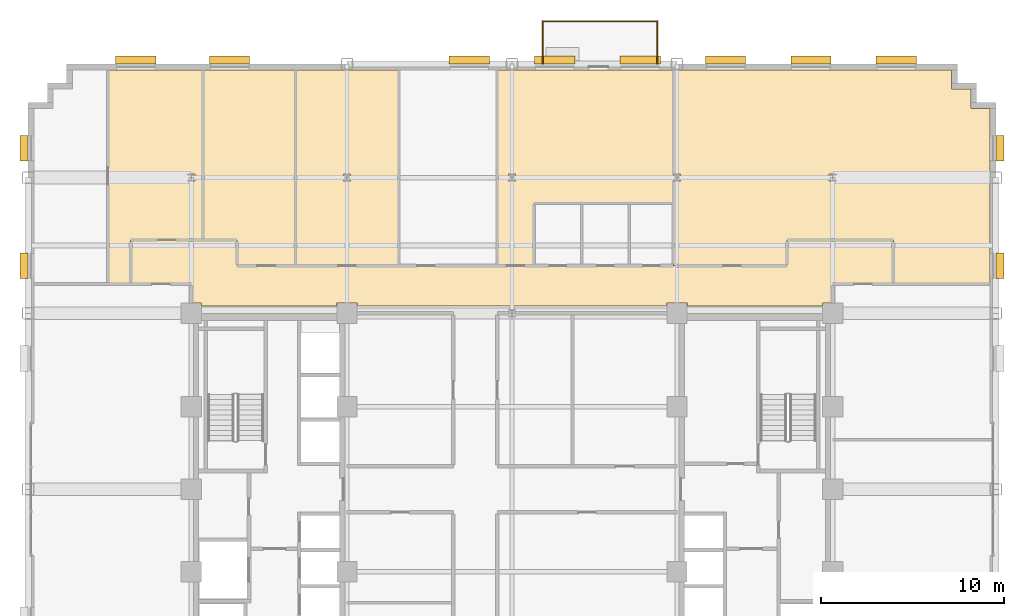
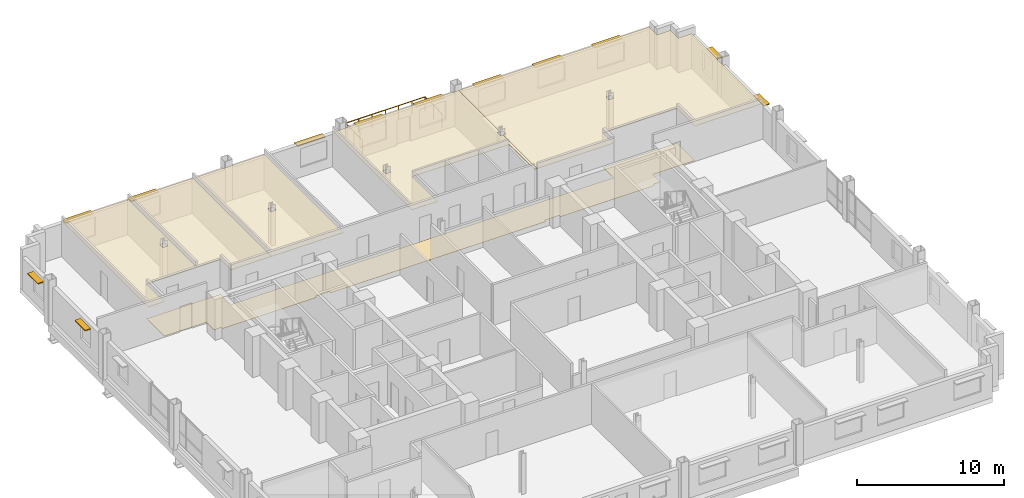
# One storey, part 16 of 16: 12 shading devices, 6 coverings, 1 railing.
"""IFC4 building model written with IfcOpenShell, lengths in metres."""

from ifc_helpers import new_model, si_unit, direction, frame, origin, origin_2d, place, context, subcontext, project, spatial, polyline, rectangle, circle, outline, extrude, source, transform, mapped, material, layer, layer_set, type_object, type_shapes, element, save


model = new_model("IFC4")

# Units and contexts
model_context = context("Model", 3, precision=1e-05, world=origin(), true_north=direction((0.0, 1.0)))
body_context = subcontext(model_context, "Body", "Model", "MODEL_VIEW")
ifc_project = project(units=[si_unit("LENGTHUNIT", "METRE"), si_unit("AREAUNIT", "SQUARE_METRE"), si_unit("VOLUMEUNIT", "CUBIC_METRE"), si_unit("PLANEANGLEUNIT", "RADIAN"), si_unit("MASSUNIT", "GRAM", prefix="KILO")], contexts=[model_context])

# Site, building, storey
site_placement = place(None, origin())
site = spatial("IfcSite", under=ifc_project, at=site_placement, CompositionType="ELEMENT")
building_placement = place(site_placement, origin())
building = spatial("IfcBuilding", under=site, at=building_placement, Name="Nuvemarco Arch Tower", CompositionType="ELEMENT")
storey_placement = place(building_placement, frame((0.0, 0.0, 116.550048828125)))
storey = spatial("IfcBuildingStorey", under=building, at=storey_placement, Name="L30", CompositionType="ELEMENT", Elevation=116.550048828125)

# Coverings
ifc_material_1 = material(Name="Mineral acoustic ceiling tile")
ifc_layer_1 = layer(ifc_material_1, 0.0400390625, Name="COV-ACOUSTIC-CLG")
ifc_layer_set_1 = layer_set([ifc_layer_1], Name="Mineral acoustic ceiling tile")
covering_type_1 = type_object("IfcCoveringType", Name="COV-ACOUSTIC-CLG", PredefinedType="CEILING", material=ifc_layer_set_1)
covering_1_placement = place(storey_placement, frame((0.0, 0.0, 2.849853515625)))
element("IfcCovering", 1, at=covering_1_placement, inside=storey, type_object=covering_type_1, Name="L30 suspended acoustic ceiling 1", PredefinedType="CEILING", context=body_context, shape_type="SweptSolid", body=[
    extrude(outline(polyline([(26.080078125, 20.780029296875), (26.080078125, 17.340087890625), (26.06005859375, 17.340087890625), (26.06005859375, 16.659912109375), (26.080078125, 16.659912109375), (26.080078125, 11.199951171875), (20.800048828125, 11.199951171875), (20.800048828125, 13.60009765625), (15.0, 13.60009765625), (15.0, 12.199951171875), (9.0, 12.199951171875), (9.0, 16.804931640625), (9.195068359375, 16.804931640625), (9.195068359375, 17.195068359375), (9.0, 17.195068359375), (9.0, 22.860107421875), (9.340087890625, 22.860107421875), (9.340087890625, 22.8798828125), (23.97998046875, 22.8798828125), (23.97998046875, 21.830078125), (25.030029296875, 21.830078125), (25.030029296875, 20.780029296875), (26.080078125, 20.780029296875)]), holes=[polyline([(17.695068359375, 16.804931640625), (17.695068359375, 17.195068359375), (17.304931640625, 17.195068359375), (17.304931640625, 16.804931640625), (17.695068359375, 16.804931640625)])]), origin(), (0.0, 0.0, 1.0), 0.0400390625),
])
covering_2_placement = place(storey_placement, frame((0.0, 0.0, 2.849853515625)))
element("IfcCovering", 2, at=covering_2_placement, inside=storey, type_object=covering_type_1, Name="L30 suspended acoustic ceiling 5", PredefinedType="CEILING", context=body_context, shape_type="SweptSolid", body=[
    extrude(outline(polyline([(1.199951171875, 15.60009765625), (1.199951171875, 12.199951171875), (-0.800048828125, 12.199951171875), (-0.800048828125, 22.8798828125), (-0.340087890625, 22.8798828125), (-0.340087890625, 22.860107421875), (0.340087890625, 22.860107421875), (0.340087890625, 22.8798828125), (8.659912109375, 22.8798828125), (8.659912109375, 22.860107421875), (9.0, 22.860107421875), (9.0, 17.195068359375), (8.804931640625, 17.195068359375), (8.804931640625, 16.804931640625), (9.0, 16.804931640625), (9.0, 12.199951171875), (8.800048828125, 12.199951171875), (8.800048828125, 15.60009765625), (6.39990234375, 15.60009765625), (3.800048828125, 15.60009765625), (1.199951171875, 15.60009765625)]), holes=[polyline([(0.195068359375, 16.804931640625), (0.195068359375, 17.195068359375), (-0.195068359375, 17.195068359375), (-0.195068359375, 16.804931640625), (0.195068359375, 16.804931640625)])]), origin(), (0.0, 0.0, 1.0), 0.0400390625),
])
covering_3_placement = place(storey_placement, frame((0.0, 0.0, 2.849853515625)))
element("IfcCovering", 3, at=covering_3_placement, inside=storey, type_object=covering_type_1, Name="L30 suspended acoustic ceiling 6", PredefinedType="CEILING", context=body_context, shape_type="SweptSolid", body=[
    extrude(outline(polyline([(-6.179931640625, 12.199951171875), (-11.81005859375, 12.199951171875), (-11.81005859375, 22.8798828125), (-9.340087890625, 22.8798828125), (-9.340087890625, 22.860107421875), (-8.659912109375, 22.860107421875), (-8.659912109375, 22.8798828125), (-6.179931640625, 22.8798828125), (-6.179931640625, 12.199951171875)]), holes=[polyline([(-8.804931640625, 16.804931640625), (-8.804931640625, 17.195068359375), (-9.195068359375, 17.195068359375), (-9.195068359375, 16.804931640625), (-8.804931640625, 16.804931640625)])]), origin(), (0.0, 0.0, 1.0), 0.0400390625),
])
covering_4_placement = place(storey_placement, frame((0.0, 0.0, 2.849853515625)))
element("IfcCovering", 4, at=covering_4_placement, inside=storey, type_object=covering_type_1, Name="L30 suspended acoustic ceiling 8", PredefinedType="CEILING", context=body_context, shape_type="SweptSolid", body=[
    extrude(outline(polyline([(-11.81005859375, 22.8798828125), (-11.81005859375, 12.199951171875), (-15.0, 12.199951171875), (-15.0, 13.60009765625), (-16.85009765625, 13.60009765625), (-16.85009765625, 22.8798828125), (-11.81005859375, 22.8798828125)])), origin(), (0.0, 0.0, 1.0), 0.0400390625),
])
covering_5_placement = place(storey_placement, frame((0.0, 0.0, 2.849853515625)))
element("IfcCovering", 5, at=covering_5_placement, inside=storey, type_object=covering_type_1, Name="L30 suspended acoustic ceiling 9", PredefinedType="CEILING", context=body_context, shape_type="SweptSolid", body=[
    extrude(outline(polyline([(-16.85009765625, 22.8798828125), (-16.85009765625, 13.60009765625), (-20.800048828125, 13.60009765625), (-20.800048828125, 11.199951171875), (-22.050048828125, 11.199951171875), (-22.050048828125, 22.8798828125), (-16.85009765625, 22.8798828125)]), holes=[polyline([(-17.304931640625, 16.804931640625), (-17.304931640625, 17.195068359375), (-17.695068359375, 17.195068359375), (-17.695068359375, 16.804931640625), (-17.304931640625, 16.804931640625)])]), origin(), (0.0, 0.0, 1.0), 0.0400390625),
])
ifc_material_2 = material(Name="Polished granite terrazzostone flooring", Category="masonry")
ifc_layer_2 = layer(ifc_material_2, 0.02001953125, Name="COV-LOBBY-FLR")
ifc_layer_set_2 = layer_set([ifc_layer_2], Name="Polished granite terrazzostone flooring")
covering_type_2 = type_object("IfcCoveringType", Name="COV-LOBBY-FLR", PredefinedType="FLOORING", material=ifc_layer_set_2)
covering_6_placement = place(storey_placement, origin())
element("IfcCovering", 6, at=covering_6_placement, inside=storey, type_object=covering_type_2, Name="L30 polished terrazzo lobby flooring", PredefinedType="FLOORING", context=body_context, shape_type="SweptSolid", body=[
    extrude(outline(polyline([(-8.43505859375, 10.1650390625), (-9.56494140625, 10.1650390625), (-9.56494140625, 10.0), (-16.93505859375, 10.0), (-16.93505859375, 10.1650390625), (-17.5, 10.1650390625), (-17.5, 11.199951171875), (-20.800048828125, 11.199951171875), (-20.800048828125, 13.60009765625), (-15.0, 13.60009765625), (-15.0, 12.199951171875), (-3.199951171875, 12.199951171875), (-0.800048828125, 12.199951171875), (15.0, 12.199951171875), (15.0, 13.60009765625), (20.800048828125, 13.60009765625), (20.800048828125, 11.199951171875), (17.5, 11.199951171875), (17.5, 10.1650390625), (16.93505859375, 10.1650390625), (16.93505859375, 10.0), (9.56494140625, 10.0), (9.56494140625, 10.1650390625), (8.43505859375, 10.1650390625), (8.43505859375, 10.0), (-8.43505859375, 10.0), (-8.43505859375, 10.1650390625)])), origin(), (0.0, 0.0, 1.0), 0.02001953125),
])

# Railing
ifc_material_3 = material(Name="Dark anodised balustrade steel S355", Category="steel")
railing_type = type_object("IfcRailingType", Name="RL-TERR-GUARD", PredefinedType="BALUSTRADE", material=ifc_material_3)
railing_placement = place(storey_placement, frame((1.679931640625, 23.199951171875, 0.0)))
element("IfcRailing", 7, at=railing_placement, inside=storey, type_object=railing_type, Name="L30 spiral terrace perimeter balustrade guard", PredefinedType="BALUSTRADE", context=body_context, shape_type="SweptSolid", body=[
    extrude(circle(Radius=0.02392578125, at=origin_2d()), frame((0.0, 0.0, 1.1259765625), z_axis=(0.0, 1.0, 0.0), x_axis=(-1.0, 0.0, 0.0)), (0.0, 0.0, 1.0), 2.320068359375),
    extrude(circle(Radius=0.02392578125, at=origin_2d()), frame((0.0, 2.320068359375, 1.1259765625), z_axis=(1.0, 0.0, 0.0), x_axis=(0.0, 1.0, 0.0)), (0.0, 0.0, 1.0), 6.239990234375),
    extrude(circle(Radius=0.02392578125, at=origin_2d()), frame((6.239990234375, 2.320068359375, 1.1259765625), z_axis=(0.0, -1.0, 0.0), x_axis=(1.0, 0.0, 0.0)), (0.0, 0.0, 1.0), 2.320068359375),
    extrude(circle(Radius=0.02099609375, at=origin_2d()), origin(), (0.0, 0.0, 1.0), 1.101806640625),
    extrude(circle(Radius=0.02099609375, at=origin_2d()), frame((0.0, 1.16015625, 0.0)), (0.0, 0.0, 1.0), 1.101806640625),
    extrude(circle(Radius=0.02099609375, at=origin_2d()), frame((0.0, 2.320068359375, 0.0)), (0.0, 0.0, 1.0), 1.101806640625),
    extrude(circle(Radius=0.02099609375, at=origin_2d()), frame((1.0400390625, 2.320068359375, 0.0)), (0.0, 0.0, 1.0), 1.101806640625),
    extrude(circle(Radius=0.02099609375, at=origin_2d()), frame((2.080078125, 2.320068359375, 0.0)), (0.0, 0.0, 1.0), 1.101806640625),
    extrude(circle(Radius=0.02099609375, at=origin_2d()), frame((3.1201171875, 2.320068359375, 0.0)), (0.0, 0.0, 1.0), 1.101806640625),
    extrude(circle(Radius=0.02099609375, at=origin_2d()), frame((4.159912109375, 2.320068359375, 0.0)), (0.0, 0.0, 1.0), 1.101806640625),
    extrude(circle(Radius=0.02099609375, at=origin_2d()), frame((5.199951171875, 2.320068359375, 0.0)), (0.0, 0.0, 1.0), 1.101806640625),
    extrude(circle(Radius=0.02099609375, at=origin_2d()), frame((6.239990234375, 2.320068359375, 0.0)), (0.0, 0.0, 1.0), 1.101806640625),
    extrude(circle(Radius=0.02099609375, at=origin_2d()), frame((6.239990234375, 1.16015625, 0.0)), (0.0, 0.0, 1.0), 1.101806640625),
    extrude(circle(Radius=0.02099609375, at=origin_2d()), frame((6.239990234375, 0.0, 0.0)), (0.0, 0.0, 1.0), 1.101806640625),
])

# Shading devices
ifc_material_4 = material(Name="Anodised aluminium 6063-T6", Category="aluminium")
shading_device_type_1 = type_object("IfcShadingDeviceType", Name="SHD-BRISE-SOLEIL", PredefinedType="USERDEFINED", material=ifc_material_4)
shared_shape_1 = source(origin(), body_context, "Body", "SweptSolid", [
    extrude(rectangle(XDim=2.199951171875, YDim=0.449951171875, at=origin_2d()), origin(), (0.0, 0.0, 1.0), 0.080078125),
])
type_shapes(shading_device_type_1, [shared_shape_1])
for number, where, z_axis, x_axis, name in (
    (8, (-20.52001953125, 23.4150390625, 2.364990234375), (0.0, 0.0, 1.0), (1.0, 0.0, 0.0), "L30 horizontal brise-soleil sunshade"),
    (9, (-15.409912109375, 23.4150390625, 2.364990234375), (0.0, 0.0, 1.0), (1.0, 0.0, 0.0), "L30 horizontal brise-soleil sunshade"),
    (10, (-2.330078125, 23.4150390625, 2.364990234375), (0.0, 0.0, 1.0), (1.0, 0.0, 0.0), "L30 horizontal brise-soleil sunshade"),
    (11, (2.330078125, 23.4150390625, 2.364990234375), (0.0, 0.0, 1.0), (1.0, 0.0, 0.0), "L30 horizontal brise-soleil sunshade"),
    (12, (6.989990234375, 23.4150390625, 2.364990234375), (0.0, 0.0, 1.0), (1.0, 0.0, 0.0), "L30 horizontal brise-soleil sunshade"),
    (13, (11.64990234375, 23.4150390625, 2.364990234375), (0.0, 0.0, 1.0), (1.0, 0.0, 0.0), "L30 horizontal brise-soleil sunshade"),
    (14, (16.31005859375, 23.4150390625, 2.364990234375), (0.0, 0.0, 1.0), (1.0, 0.0, 0.0), "L30 horizontal brise-soleil sunshade"),
    (15, (20.969970703125, 23.4150390625, 2.364990234375), (0.0, 0.0, 1.0), (1.0, 0.0, 0.0), "L30 horizontal brise-soleil sunshade"),
):
    element("IfcShadingDevice", number, at=place(storey_placement, frame(where, z_axis=z_axis, x_axis=x_axis)), inside=storey, type_object=shading_device_type_1, Name=name, ObjectType="SUNSHADE", PredefinedType="USERDEFINED", context=body_context, shape_type="MappedRepresentation", body=[
        mapped(shared_shape_1, transform((0.0, 0.0, 0.0), scale=1.0)),
    ])
shading_device_type_2 = type_object("IfcShadingDeviceType", Name="SHD-BRISE-NARROW", PredefinedType="USERDEFINED", material=ifc_material_4)
shared_shape_2 = source(origin(), body_context, "Body", "SweptSolid", [
    extrude(rectangle(XDim=1.39990234375, YDim=0.449951171875, at=origin_2d()), origin(), (0.0, 0.0, 1.0), 0.080078125),
])
type_shapes(shading_device_type_2, [shared_shape_2])
for number, where, z_axis, x_axis, name in (
    (16, (26.614990234375, 12.19189453125, 2.364990234375), (0.0, 0.0, 1.0), (0.0, 1.0, 0.0), "L30 horizontal brise-soleil sunshade"),
    (17, (26.614990234375, 18.603271484375, 2.364990234375), (0.0, 0.0, 1.0), (0.0, 1.0, 0.0), "L30 horizontal brise-soleil sunshade"),
    (18, (-26.614990234375, 12.19189453125, 2.364990234375), (0.0, 0.0, 1.0), (0.0, 1.0, 0.0), "L30 horizontal brise-soleil sunshade"),
    (19, (-26.614990234375, 18.603271484375, 2.364990234375), (0.0, 0.0, 1.0), (0.0, 1.0, 0.0), "L30 horizontal brise-soleil sunshade"),
):
    element("IfcShadingDevice", number, at=place(storey_placement, frame(where, z_axis=z_axis, x_axis=x_axis)), inside=storey, type_object=shading_device_type_2, Name=name, ObjectType="SUNSHADE", PredefinedType="USERDEFINED", context=body_context, shape_type="MappedRepresentation", body=[
        mapped(shared_shape_2, transform((0.0, 0.0, 0.0), scale=1.0)),
    ])

save(model, "model.ifc")
